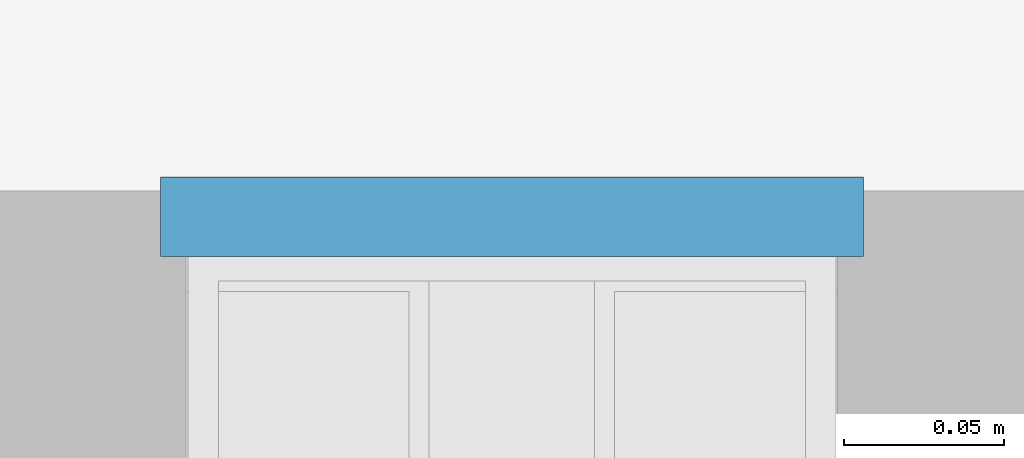
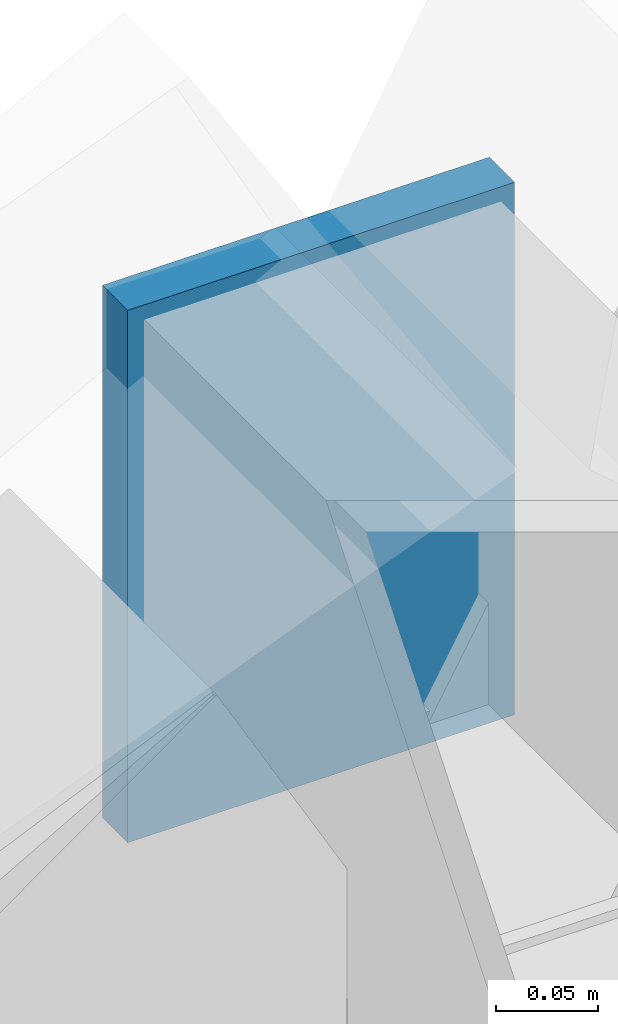
# One storey, part 10 of 16: 1 plate.
"""IFC4 building model written with IfcOpenShell, lengths in metres."""

from ifc_helpers import new_model, si_unit, direction, frame, origin, origin_2d, place, context, subcontext, project, spatial, rectangle, extrude, material, layer, layer_set, type_object, element, save


model = new_model("IFC4")

# Units and contexts
model_context = context("Model", 3, precision=1e-05, world=origin(), true_north=direction((0.0, 1.0)))
body_context = subcontext(model_context, "Body", "Model", "MODEL_VIEW")
ifc_project = project(units=[si_unit("LENGTHUNIT", "METRE"), si_unit("AREAUNIT", "SQUARE_METRE"), si_unit("VOLUMEUNIT", "CUBIC_METRE"), si_unit("PLANEANGLEUNIT", "RADIAN"), si_unit("MASSUNIT", "GRAM", prefix="KILO")], contexts=[model_context])

# Site, building, storey
site_placement = place(None, origin())
site = spatial("IfcSite", under=ifc_project, at=site_placement, CompositionType="ELEMENT")
building_placement = place(site_placement, origin())
building = spatial("IfcBuilding", under=site, at=building_placement, Name="Ochreholt Gables", CompositionType="ELEMENT")
storey_placement = place(building_placement, frame((0.0, 0.0, 141.0)))
storey = spatial("IfcBuildingStorey", under=building, at=storey_placement, Name="L36", CompositionType="ELEMENT", Elevation=141.0)

# Plate
ifc_material = material(Name="Steel CSA G40.21 350W", Category="steel")
ifc_layer = layer(ifc_material, 0.02490234375, Name="Steel CSA G40.21 350W")
ifc_layer_set = layer_set([ifc_layer], Name="Steel CSA G40.21 350W")
plate_type = type_object("IfcPlateType", Name="PL-ECP", PredefinedType="USERDEFINED", material=ifc_layer_set)
plate_placement = place(storey_placement, frame((13.699951171875, 37.592041015625, 3.66259765625), z_axis=(0.0, 0.0, 1.0), x_axis=(1.0, 0.0, 0.0)))
element("IfcPlate", 1, at=plate_placement, inside=storey, type_object=plate_type, Name="L36 Gable Ridge Welded End Cap Plate GB-36W2-N", ObjectType="END CAP PLATE", PredefinedType="USERDEFINED", context=body_context, shape_type="SweptSolid", body=[
    extrude(rectangle(XDim=0.219970703125, YDim=0.02490234375, at=origin_2d()), origin(), (0.0, 0.0, 1.0), 0.320068359375),
])

save(model, "model.ifc")
